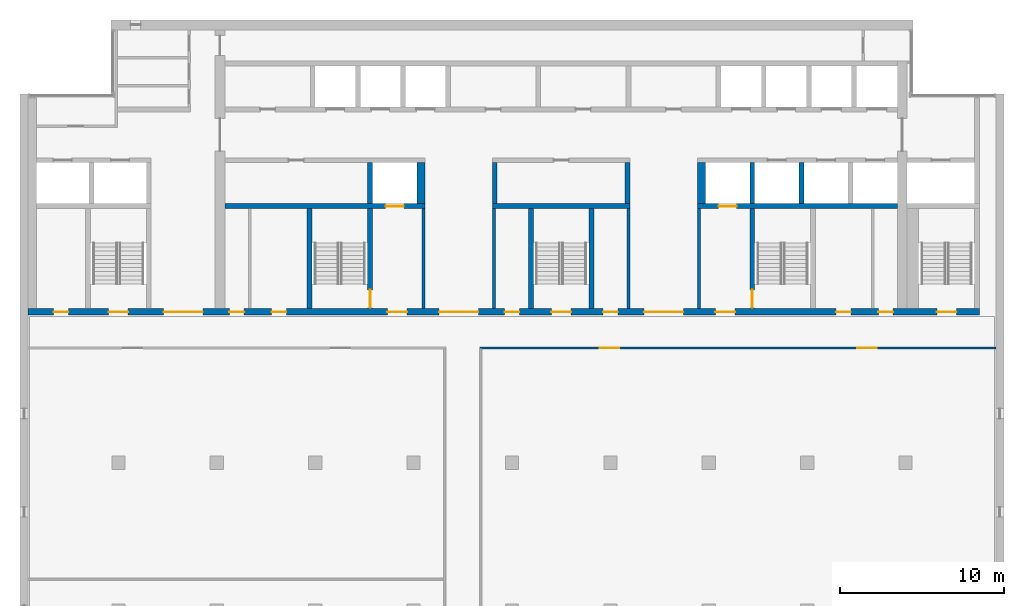
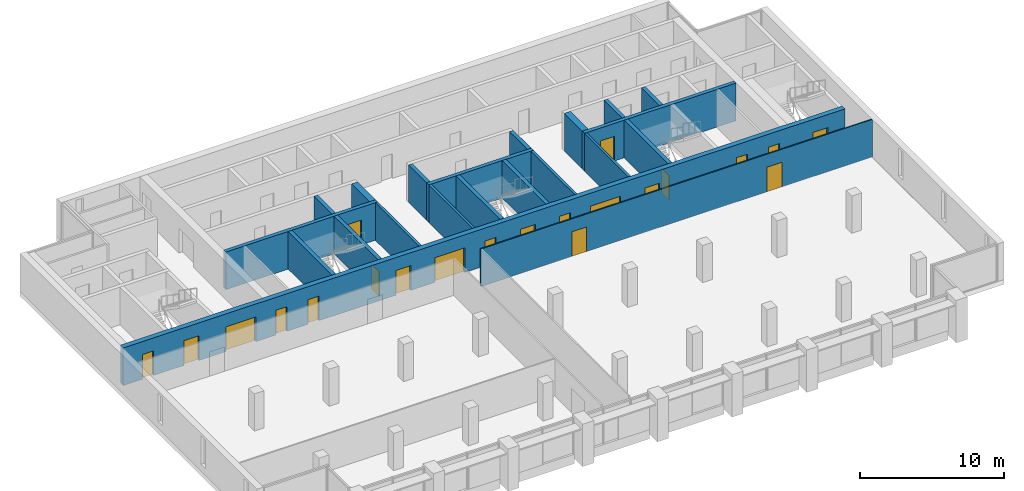
# One storey, part 8 of 14: 21 doors, 21 walls, 21 openings.
"""IFC4 building model written with IfcOpenShell, lengths in metres."""

from ifc_helpers import new_model, si_unit, direction, frame, frame_2d, origin, place, context, subcontext, project, spatial, rectangle, extrude, material, layer, layer_set, type_object, element, fill, save


model = new_model("IFC4")

# Units and contexts
model_context = context("Model", 3, precision=1e-05, world=origin(), true_north=direction((0.0, 1.0)))
body_context = subcontext(model_context, "Body", "Model", "MODEL_VIEW")
ifc_project = project(units=[si_unit("LENGTHUNIT", "METRE"), si_unit("AREAUNIT", "SQUARE_METRE"), si_unit("VOLUMEUNIT", "CUBIC_METRE"), si_unit("PLANEANGLEUNIT", "RADIAN"), si_unit("MASSUNIT", "GRAM", prefix="KILO")], contexts=[model_context])

# Site, building, storey
site_placement = place(None, origin())
site = spatial("IfcSite", under=ifc_project, at=site_placement, CompositionType="ELEMENT")
building_placement = place(site_placement, origin())
building = spatial("IfcBuilding", under=site, at=building_placement, Name="Calvaro Tower", CompositionType="ELEMENT")
storey_placement = place(building_placement, frame((0.0, 0.0, 262.14990234375)))
storey = spatial("IfcBuildingStorey", under=building, at=storey_placement, Name="L66", CompositionType="ELEMENT", Elevation=262.14990234375)

# Walls
ifc_material_1 = material(Name="Blockwork partition", Category="masonry")
ifc_layer_1 = layer(ifc_material_1, 0.199951171875)
ifc_layer_set_1 = layer_set([ifc_layer_1], Name="Blockwork partition")
wall_type_1 = type_object("IfcWallType", Name="Core partition 200 REI 120", PredefinedType="PARTITIONING", material=ifc_layer_set_1)
for number, where, z_axis, x_axis, name in (
    (1, (30.60009765625, 28.39990234375, 0.0), (0.0, 0.0, 1.0), (0.0, 1.0, 0.0), "Core partition"),
    (2, (34.89990234375, 28.39990234375, 0.0), (0.0, 0.0, 1.0), (0.0, 1.0, 0.0), "Core partition"),
    (3, (43.10009765625, 28.39990234375, 0.0), (0.0, 0.0, 1.0), (0.0, 1.0, 0.0), "Core partition"),
    (4, (47.39990234375, 28.39990234375, 0.0), (0.0, 0.0, 1.0), (0.0, 1.0, 0.0), "Core partition"),
):
    element("IfcWall", number, at=place(storey_placement, frame(where, z_axis=z_axis, x_axis=x_axis)), inside=storey, type_object=wall_type_1, Name=name, PredefinedType="PARTITIONING", context=body_context, shape_type="SweptSolid", body=[
        extrude(rectangle(XDim=6.10009765625, YDim=0.199951171875, at=frame_2d((3.050048828125, 0.0))), origin(), (0.0, 0.0, 1.0), 3.2001953125),
    ])
ifc_material_2 = material(Name="Concrete C40/50", Category="concrete")
ifc_layer_2 = layer(ifc_material_2, 0.300048828125)
ifc_layer_set_2 = layer_set([ifc_layer_2], Name="Concrete C40/50")
wall_type_2 = type_object("IfcWallType", Name="Core wall C40/50 300", PredefinedType="SHEAR", material=ifc_layer_set_2)
wall_1_placement = place(storey_placement, frame((23.64990234375, 28.39990234375, 0.0), z_axis=(0.0, 0.0, 1.0), x_axis=(0.0, 1.0, 0.0)))
element("IfcWall", 5, at=wall_1_placement, inside=storey, type_object=wall_type_2, Name="Core wall, stair enclosure", PredefinedType="SHEAR", context=body_context, shape_type="SweptSolid", body=[
    extrude(rectangle(XDim=6.10009765625, YDim=0.300048828125, at=frame_2d((3.050048828125, 0.0))), origin(), (0.0, 0.0, 1.0), 3.2001953125),
])

# Wall, opening, door
wall_2_placement = place(storey_placement, frame((27.35009765625, 28.39990234375, 0.0), z_axis=(0.0, 0.0, 1.0), x_axis=(0.0, 1.0, 0.0)))
wall_2 = element("IfcWall", 6, at=wall_2_placement, inside=storey, type_object=wall_type_2, Name="Core wall, stair enclosure", PredefinedType="SHEAR", context=body_context, shape_type="SweptSolid", body=[
    extrude(rectangle(XDim=6.10009765625, YDim=0.300048828125, at=frame_2d((3.050048828125, 0.0))), origin(), (0.0, 0.0, 1.0), 3.2001953125),
])
opening_1_placement = place(wall_2_placement, frame((0.050048828125, 0.0, 0.0)))
opening_1 = element("IfcOpeningElement", 7, at=opening_1_placement, cuts=wall_2, Name="Opening FD11D", PredefinedType="OPENING", context=body_context, shape_type="SweptSolid", body=[
    extrude(rectangle(XDim=1.10009765625, YDim=2.10009765625, at=frame_2d((0.550048828125, 1.050048828125))), frame((0.0, 0.159912109375, 0.0), z_axis=(0.0, -1.0, 0.0), x_axis=(1.0, 0.0, 0.0)), (0.0, 0.0, 1.0), 0.320068359375),
])
ifc_material_3 = material(Name="Steel door set", Category="steel")
door_type_1 = type_object("IfcDoorType", Name="Fire door 1100 FD30S", OperationType="SINGLE_SWING_LEFT", PredefinedType="DOOR", material=ifc_material_3)
door_1_placement = place(opening_1_placement, origin())
door_1 = element("IfcDoor", 8, at=door_1_placement, inside=storey, type_object=door_type_1, Name="Fire door", OperationType="SINGLE_SWING_LEFT", OverallHeight=2.10009765625, OverallWidth=1.10009765625, PredefinedType="DOOR", context=body_context, shape_type="SweptSolid", body=[
    extrude(rectangle(XDim=1.10009765625, YDim=2.10009765625, at=frame_2d((0.550048828125, 1.050048828125))), frame((0.0, 0.02490234375, 0.0), z_axis=(0.0, -1.0, 0.0), x_axis=(1.0, 0.0, 0.0)), (0.0, 0.0, 1.0), 0.050048828125),
])
fill(opening_1, door_1)

# Walls
for number, where, z_axis, x_axis, name in (
    (9, (37.14990234375, 28.39990234375, 0.0), (0.0, 0.0, 1.0), (0.0, 1.0, 0.0), "Core wall, stair enclosure"),
    (10, (40.85009765625, 28.39990234375, 0.0), (0.0, 0.0, 1.0), (0.0, 1.0, 0.0), "Core wall, stair enclosure"),
):
    element("IfcWall", number, at=place(storey_placement, frame(where, z_axis=z_axis, x_axis=x_axis)), inside=storey, type_object=wall_type_2, Name=name, PredefinedType="SHEAR", context=body_context, shape_type="SweptSolid", body=[
        extrude(rectangle(XDim=6.10009765625, YDim=0.300048828125, at=frame_2d((3.050048828125, 0.0))), origin(), (0.0, 0.0, 1.0), 3.2001953125),
    ])

# Wall, opening, door
wall_3_placement = place(storey_placement, frame((50.64990234375, 34.5, 0.0), z_axis=(0.0, 0.0, 1.0), x_axis=(0.0, -1.0, 0.0)))
wall_3 = element("IfcWall", 11, at=wall_3_placement, inside=storey, type_object=wall_type_2, Name="Core wall, stair enclosure", PredefinedType="SHEAR", context=body_context, shape_type="SweptSolid", body=[
    extrude(rectangle(XDim=6.10009765625, YDim=0.300048828125, at=frame_2d((3.050048828125, 0.0))), origin(), (0.0, 0.0, 1.0), 3.2001953125),
])
opening_2_placement = place(wall_3_placement, frame((4.949951171875, 0.0, 0.0)))
opening_2 = element("IfcOpeningElement", 12, at=opening_2_placement, cuts=wall_3, Name="Opening FD11D", PredefinedType="OPENING", context=body_context, shape_type="SweptSolid", body=[
    extrude(rectangle(XDim=1.10009765625, YDim=2.10009765625, at=frame_2d((0.550048828125, 1.050048828125))), frame((0.0, 0.159912109375, 0.0), z_axis=(0.0, -1.0, 0.0), x_axis=(1.0, 0.0, 0.0)), (0.0, 0.0, 1.0), 0.320068359375),
])
door_2_placement = place(opening_2_placement, origin())
door_2 = element("IfcDoor", 13, at=door_2_placement, inside=storey, type_object=door_type_1, Name="Fire door", OperationType="SINGLE_SWING_RIGHT", OverallHeight=2.10009765625, OverallWidth=1.10009765625, PredefinedType="DOOR", context=body_context, shape_type="SweptSolid", body=[
    extrude(rectangle(XDim=1.10009765625, YDim=2.10009765625, at=frame_2d((0.550048828125, 1.050048828125))), frame((0.0, 0.02490234375, 0.0), z_axis=(0.0, -1.0, 0.0), x_axis=(1.0, 0.0, 0.0)), (0.0, 0.0, 1.0), 0.050048828125),
])
fill(opening_2, door_2)

wall_4_placement = place(storey_placement, frame((18.5, 34.64990234375, 0.0), z_axis=(0.0, 0.0, 1.0), x_axis=(1.0, 0.0, 0.0)))
wall_4 = element("IfcWall", 14, at=wall_4_placement, inside=storey, type_object=wall_type_2, Name="Core wall, lift shaft", PredefinedType="SHEAR", context=body_context, shape_type="SweptSolid", body=[
    extrude(rectangle(XDim=12.199951171875, YDim=0.300048828125, at=frame_2d((6.10009765625, 0.0))), origin(), (0.0, 0.0, 1.0), 3.2001953125),
])
opening_3_placement = place(wall_4_placement, frame((9.800048828125, 0.0, 0.0)))
opening_3 = element("IfcOpeningElement", 15, at=opening_3_placement, cuts=wall_4, Name="Opening FF1", PredefinedType="OPENING", context=body_context, shape_type="SweptSolid", body=[
    extrude(rectangle(XDim=1.10009765625, YDim=2.10009765625, at=frame_2d((0.550048828125, 1.050048828125))), frame((0.0, 0.159912109375, 0.0), z_axis=(0.0, -1.0, 0.0), x_axis=(1.0, 0.0, 0.0)), (0.0, 0.0, 1.0), 0.320068359375),
])
ifc_material_4 = material(Name="Stainless steel", Category="steel")
door_type_2 = type_object("IfcDoorType", Name="Landing door 1100 E 60", OperationType="SLIDING_TO_LEFT", PredefinedType="DOOR", material=ifc_material_4)
door_3_placement = place(opening_3_placement, origin())
door_3 = element("IfcDoor", 16, at=door_3_placement, inside=storey, type_object=door_type_2, Name="Landing door FF1", OperationType="SLIDING_TO_LEFT", OverallHeight=2.10009765625, OverallWidth=1.10009765625, PredefinedType="DOOR", context=body_context, shape_type="SweptSolid", body=[
    extrude(rectangle(XDim=1.10009765625, YDim=2.10009765625, at=frame_2d((0.550048828125, 1.050048828125))), frame((0.0, 0.02490234375, 0.0), z_axis=(0.0, -1.0, 0.0), x_axis=(1.0, 0.0, 0.0)), (0.0, 0.0, 1.0), 0.050048828125),
])
fill(opening_3, door_3)

# Wall
wall_5_placement = place(storey_placement, frame((34.800048828125, 34.64990234375, 0.0), z_axis=(0.0, 0.0, 1.0), x_axis=(1.0, 0.0, 0.0)))
element("IfcWall", 17, at=wall_5_placement, inside=storey, type_object=wall_type_2, Name="Core wall, lift shaft", PredefinedType="SHEAR", context=body_context, shape_type="SweptSolid", body=[
    extrude(rectangle(XDim=8.39990234375, YDim=0.300048828125, at=frame_2d((4.199951171875, 0.0))), origin(), (0.0, 0.0, 1.0), 3.2001953125),
])

# Wall, opening, door
wall_6_placement = place(storey_placement, frame((47.300048828125, 34.64990234375, 0.0), z_axis=(0.0, 0.0, 1.0), x_axis=(1.0, 0.0, 0.0)))
wall_6 = element("IfcWall", 18, at=wall_6_placement, inside=storey, type_object=wall_type_2, Name="Core wall, lift shaft", PredefinedType="SHEAR", context=body_context, shape_type="SweptSolid", body=[
    extrude(rectangle(XDim=12.199951171875, YDim=0.300048828125, at=frame_2d((6.10009765625, 0.0))), origin(), (0.0, 0.0, 1.0), 3.2001953125),
])
opening_4_placement = place(wall_6_placement, frame((1.300048828125, 0.0, 0.0)))
opening_4 = element("IfcOpeningElement", 19, at=opening_4_placement, cuts=wall_6, Name="Opening FF2", PredefinedType="OPENING", context=body_context, shape_type="SweptSolid", body=[
    extrude(rectangle(XDim=1.10009765625, YDim=2.10009765625, at=frame_2d((0.550048828125, 1.050048828125))), frame((0.0, 0.159912109375, 0.0), z_axis=(0.0, -1.0, 0.0), x_axis=(1.0, 0.0, 0.0)), (0.0, 0.0, 1.0), 0.320068359375),
])
door_4_placement = place(opening_4_placement, origin())
door_4 = element("IfcDoor", 20, at=door_4_placement, inside=storey, type_object=door_type_2, Name="Landing door FF2", OperationType="SLIDING_TO_LEFT", OverallHeight=2.10009765625, OverallWidth=1.10009765625, PredefinedType="DOOR", context=body_context, shape_type="SweptSolid", body=[
    extrude(rectangle(XDim=1.10009765625, YDim=2.10009765625, at=frame_2d((0.550048828125, 1.050048828125))), frame((0.0, 0.02490234375, 0.0), z_axis=(0.0, -1.0, 0.0), x_axis=(1.0, 0.0, 0.0)), (0.0, 0.0, 1.0), 0.050048828125),
])
fill(opening_4, door_4)

# Walls
for number, where, z_axis, x_axis, name in (
    (21, (27.35009765625, 34.800048828125, 0.0), (0.0, 0.0, 1.0), (0.0, 1.0, 0.0), "Core wall, lift shaft"),
    (22, (34.949951171875, 34.800048828125, 0.0), (0.0, 0.0, 1.0), (0.0, 1.0, 0.0), "Core wall, lift shaft"),
    (23, (43.050048828125, 34.800048828125, 0.0), (0.0, 0.0, 1.0), (0.0, 1.0, 0.0), "Core wall, lift shaft"),
    (24, (50.64990234375, 34.800048828125, 0.0), (0.0, 0.0, 1.0), (0.0, 1.0, 0.0), "Core wall, lift shaft"),
    (25, (53.64990234375, 34.800048828125, 0.0), (0.0, 0.0, 1.0), (0.0, 1.0, 0.0), "Core wall, lift shaft"),
):
    element("IfcWall", number, at=place(storey_placement, frame(where, z_axis=z_axis, x_axis=x_axis)), inside=storey, type_object=wall_type_2, Name=name, PredefinedType="SHEAR", context=body_context, shape_type="SweptSolid", body=[
        extrude(rectangle(XDim=2.5, YDim=0.300048828125, at=frame_2d((1.25, 0.0))), origin(), (0.0, 0.0, 1.0), 3.2001953125),
    ])

# Wall, openings, doors
ifc_material_5 = material(Name="Concrete C40/50", Category="concrete")
ifc_layer_3 = layer(ifc_material_5, 0.39990234375)
ifc_layer_set_3 = layer_set([ifc_layer_3], Name="Concrete C40/50")
wall_type_3 = type_object("IfcWallType", Name="Core wall C40/50 400", PredefinedType="SHEAR", material=ifc_layer_set_3)
wall_7_placement = place(storey_placement, frame((6.5, 28.199951171875, 0.0), z_axis=(0.0, 0.0, 1.0), x_axis=(1.0, 0.0, 0.0)))
wall_7 = element("IfcWall", 26, at=wall_7_placement, inside=storey, type_object=wall_type_3, Name="Core wall, front", PredefinedType="SHEAR", context=body_context, shape_type="SweptSolid", body=[
    extrude(rectangle(XDim=58.0, YDim=0.39990234375, at=frame_2d((29.0, 0.0))), origin(), (0.0, 0.0, 1.0), 3.2001953125),
])
opening_5_placement = place(wall_7_placement, frame((12.262451171875, 0.0, 0.0)))
opening_5 = element("IfcOpeningElement", 27, at=opening_5_placement, cuts=wall_7, Name="Opening RD9C", PredefinedType="OPENING", context=body_context, shape_type="SweptSolid", body=[
    extrude(rectangle(XDim=0.89990234375, YDim=2.10009765625, at=frame_2d((0.449951171875, 1.050048828125))), frame((0.0, 0.2099609375, 0.0), z_axis=(0.0, -1.0, 0.0), x_axis=(1.0, 0.0, 0.0)), (0.0, 0.0, 1.0), 0.419921875),
])
opening_6_placement = place(wall_7_placement, frame((14.83740234375, 0.0, 0.0)))
opening_6 = element("IfcOpeningElement", 28, at=opening_6_placement, cuts=wall_7, Name="Opening RD9E", PredefinedType="OPENING", context=body_context, shape_type="SweptSolid", body=[
    extrude(rectangle(XDim=0.89990234375, YDim=2.10009765625, at=frame_2d((0.449951171875, 1.050048828125))), frame((0.0, 0.2099609375, 0.0), z_axis=(0.0, -1.0, 0.0), x_axis=(1.0, 0.0, 0.0)), (0.0, 0.0, 1.0), 0.419921875),
])
opening_7_placement = place(wall_7_placement, frame((49.262451171875, 0.0, 0.0)))
opening_7 = element("IfcOpeningElement", 29, at=opening_7_placement, cuts=wall_7, Name="Opening RD9E", PredefinedType="OPENING", context=body_context, shape_type="SweptSolid", body=[
    extrude(rectangle(XDim=0.89990234375, YDim=2.10009765625, at=frame_2d((0.449951171875, 1.050048828125))), frame((0.0, 0.2099609375, 0.0), z_axis=(0.0, -1.0, 0.0), x_axis=(1.0, 0.0, 0.0)), (0.0, 0.0, 1.0), 0.419921875),
])
opening_8_placement = place(wall_7_placement, frame((51.83740234375, 0.0, 0.0)))
opening_8 = element("IfcOpeningElement", 30, at=opening_8_placement, cuts=wall_7, Name="Opening RD9C", PredefinedType="OPENING", context=body_context, shape_type="SweptSolid", body=[
    extrude(rectangle(XDim=0.89990234375, YDim=2.10009765625, at=frame_2d((0.449951171875, 1.050048828125))), frame((0.0, 0.2099609375, 0.0), z_axis=(0.0, -1.0, 0.0), x_axis=(1.0, 0.0, 0.0)), (0.0, 0.0, 1.0), 0.419921875),
])
opening_9_placement = place(wall_7_placement, frame((1.550048828125, 0.0, 0.0)))
opening_9 = element("IfcOpeningElement", 31, at=opening_9_placement, cuts=wall_7, Name="Opening RD9E", PredefinedType="OPENING", context=body_context, shape_type="SweptSolid", body=[
    extrude(rectangle(XDim=0.89990234375, YDim=2.10009765625, at=frame_2d((0.449951171875, 1.050048828125))), frame((0.0, 0.2099609375, 0.0), z_axis=(0.0, -1.0, 0.0), x_axis=(1.0, 0.0, 0.0)), (0.0, 0.0, 1.0), 0.419921875),
])
opening_10_placement = place(wall_7_placement, frame((4.89990234375, 0.0, 0.0)))
opening_10 = element("IfcOpeningElement", 32, at=opening_10_placement, cuts=wall_7, Name="Opening SD12D", PredefinedType="OPENING", context=body_context, shape_type="SweptSolid", body=[
    extrude(rectangle(XDim=1.199951171875, YDim=2.10009765625, at=frame_2d((0.60009765625, 1.050048828125))), frame((0.0, 0.2099609375, 0.0), z_axis=(0.0, -1.0, 0.0), x_axis=(1.0, 0.0, 0.0)), (0.0, 0.0, 1.0), 0.419921875),
])
opening_11_placement = place(wall_7_placement, frame((31.89990234375, 0.0, 0.0)))
opening_11 = element("IfcOpeningElement", 33, at=opening_11_placement, cuts=wall_7, Name="Opening SD12D", PredefinedType="OPENING", context=body_context, shape_type="SweptSolid", body=[
    extrude(rectangle(XDim=1.199951171875, YDim=2.10009765625, at=frame_2d((0.60009765625, 1.050048828125))), frame((0.0, 0.2099609375, 0.0), z_axis=(0.0, -1.0, 0.0), x_axis=(1.0, 0.0, 0.0)), (0.0, 0.0, 1.0), 0.419921875),
])
opening_12_placement = place(wall_7_placement, frame((55.39990234375, 0.0, 0.0)))
opening_12 = element("IfcOpeningElement", 34, at=opening_12_placement, cuts=wall_7, Name="Opening SD12D", PredefinedType="OPENING", context=body_context, shape_type="SweptSolid", body=[
    extrude(rectangle(XDim=1.199951171875, YDim=2.10009765625, at=frame_2d((0.60009765625, 1.050048828125))), frame((0.0, 0.2099609375, 0.0), z_axis=(0.0, -1.0, 0.0), x_axis=(1.0, 0.0, 0.0)), (0.0, 0.0, 1.0), 0.419921875),
])
opening_13_placement = place(wall_7_placement, frame((21.89990234375, 0.0, 0.0)))
opening_13 = element("IfcOpeningElement", 35, at=opening_13_placement, cuts=wall_7, Name="Opening FD12F", PredefinedType="OPENING", context=body_context, shape_type="SweptSolid", body=[
    extrude(rectangle(XDim=1.199951171875, YDim=2.10009765625, at=frame_2d((0.60009765625, 1.050048828125))), frame((0.0, 0.2099609375, 0.0), z_axis=(0.0, -1.0, 0.0), x_axis=(1.0, 0.0, 0.0)), (0.0, 0.0, 1.0), 0.419921875),
])
opening_14_placement = place(wall_7_placement, frame((41.89990234375, 0.0, 0.0)))
opening_14 = element("IfcOpeningElement", 36, at=opening_14_placement, cuts=wall_7, Name="Opening FD12F", PredefinedType="OPENING", context=body_context, shape_type="SweptSolid", body=[
    extrude(rectangle(XDim=1.199951171875, YDim=2.10009765625, at=frame_2d((0.60009765625, 1.050048828125))), frame((0.0, 0.2099609375, 0.0), z_axis=(0.0, -1.0, 0.0), x_axis=(1.0, 0.0, 0.0)), (0.0, 0.0, 1.0), 0.419921875),
])
opening_15_placement = place(wall_7_placement, frame((25.050048828125, 0.0, 0.0)))
opening_15 = element("IfcOpeningElement", 37, at=opening_15_placement, cuts=wall_7, Name="Opening DD24D", PredefinedType="OPENING", context=body_context, shape_type="SweptSolid", body=[
    extrude(rectangle(XDim=2.39990234375, YDim=2.10009765625, at=frame_2d((1.199951171875, 1.050048828125))), frame((0.0, 0.2099609375, 0.0), z_axis=(0.0, -1.0, 0.0), x_axis=(1.0, 0.0, 0.0)), (0.0, 0.0, 1.0), 0.419921875),
])
opening_16_placement = place(wall_7_placement, frame((37.550048828125, 0.0, 0.0)))
opening_16 = element("IfcOpeningElement", 38, at=opening_16_placement, cuts=wall_7, Name="Opening DD24D", PredefinedType="OPENING", context=body_context, shape_type="SweptSolid", body=[
    extrude(rectangle(XDim=2.39990234375, YDim=2.10009765625, at=frame_2d((1.199951171875, 1.050048828125))), frame((0.0, 0.2099609375, 0.0), z_axis=(0.0, -1.0, 0.0), x_axis=(1.0, 0.0, 0.0)), (0.0, 0.0, 1.0), 0.419921875),
])
opening_17_placement = place(wall_7_placement, frame((8.25, 0.0, 0.0)))
opening_17 = element("IfcOpeningElement", 39, at=opening_17_placement, cuts=wall_7, Name="Opening DD24D", PredefinedType="OPENING", context=body_context, shape_type="SweptSolid", body=[
    extrude(rectangle(XDim=2.39990234375, YDim=2.10009765625, at=frame_2d((1.199951171875, 1.050048828125))), frame((0.0, 0.2099609375, 0.0), z_axis=(0.0, -1.0, 0.0), x_axis=(1.0, 0.0, 0.0)), (0.0, 0.0, 1.0), 0.419921875),
])
opening_18_placement = place(wall_7_placement, frame((29.050048828125, 0.0, 0.0)))
opening_18 = element("IfcOpeningElement", 40, at=opening_18_placement, cuts=wall_7, Name="Opening RD9E", PredefinedType="OPENING", context=body_context, shape_type="SweptSolid", body=[
    extrude(rectangle(XDim=0.89990234375, YDim=2.10009765625, at=frame_2d((0.449951171875, 1.050048828125))), frame((0.0, 0.2099609375, 0.0), z_axis=(0.0, -1.0, 0.0), x_axis=(1.0, 0.0, 0.0)), (0.0, 0.0, 1.0), 0.419921875),
])
opening_19_placement = place(wall_7_placement, frame((35.050048828125, 0.0, 0.0)))
opening_19 = element("IfcOpeningElement", 41, at=opening_19_placement, cuts=wall_7, Name="Opening RD9E", PredefinedType="OPENING", context=body_context, shape_type="SweptSolid", body=[
    extrude(rectangle(XDim=0.89990234375, YDim=2.10009765625, at=frame_2d((0.449951171875, 1.050048828125))), frame((0.0, 0.2099609375, 0.0), z_axis=(0.0, -1.0, 0.0), x_axis=(1.0, 0.0, 0.0)), (0.0, 0.0, 1.0), 0.419921875),
])
ifc_material_6 = material(Name="Steel door set", Category="steel")
door_type_3 = type_object("IfcDoorType", Name="Fire door 1200 FD60S", OperationType="SINGLE_SWING_LEFT", PredefinedType="DOOR", material=ifc_material_6)
door_5_placement = place(opening_13_placement, origin())
door_5 = element("IfcDoor", 42, at=door_5_placement, inside=storey, type_object=door_type_3, Name="Fire door", OperationType="SINGLE_SWING_LEFT", OverallHeight=2.10009765625, OverallWidth=1.199951171875, PredefinedType="DOOR", context=body_context, shape_type="SweptSolid", body=[
    extrude(rectangle(XDim=1.199951171875, YDim=2.10009765625, at=frame_2d((0.60009765625, 1.050048828125))), frame((0.0, 0.02490234375, 0.0), z_axis=(0.0, -1.0, 0.0), x_axis=(1.0, 0.0, 0.0)), (0.0, 0.0, 1.0), 0.050048828125),
])
fill(opening_13, door_5)
door_6_placement = place(opening_14_placement, origin())
door_6 = element("IfcDoor", 43, at=door_6_placement, inside=storey, type_object=door_type_3, Name="Fire door", OperationType="SINGLE_SWING_LEFT", OverallHeight=2.10009765625, OverallWidth=1.199951171875, PredefinedType="DOOR", context=body_context, shape_type="SweptSolid", body=[
    extrude(rectangle(XDim=1.199951171875, YDim=2.10009765625, at=frame_2d((0.60009765625, 1.050048828125))), frame((0.0, 0.02490234375, 0.0), z_axis=(0.0, -1.0, 0.0), x_axis=(1.0, 0.0, 0.0)), (0.0, 0.0, 1.0), 0.050048828125),
])
fill(opening_14, door_6)
ifc_material_7 = material(Name="Steel door set", Category="steel")
door_type_4 = type_object("IfcDoorType", Name="Lobby double door 2400 FD30S", OperationType="DOUBLE_DOOR_SINGLE_SWING", PredefinedType="DOOR", material=ifc_material_7)
door_7_placement = place(opening_15_placement, origin())
door_7 = element("IfcDoor", 44, at=door_7_placement, inside=storey, type_object=door_type_4, Name="Lobby double door", OperationType="DOUBLE_DOOR_SINGLE_SWING", OverallHeight=2.10009765625, OverallWidth=2.39990234375, PredefinedType="DOOR", context=body_context, shape_type="SweptSolid", body=[
    extrude(rectangle(XDim=2.39990234375, YDim=2.10009765625, at=frame_2d((1.199951171875, 1.050048828125))), frame((0.0, 0.02490234375, 0.0), z_axis=(0.0, -1.0, 0.0), x_axis=(1.0, 0.0, 0.0)), (0.0, 0.0, 1.0), 0.050048828125),
])
fill(opening_15, door_7)
door_8_placement = place(opening_16_placement, origin())
door_8 = element("IfcDoor", 45, at=door_8_placement, inside=storey, type_object=door_type_4, Name="Lobby double door", OperationType="DOUBLE_DOOR_SINGLE_SWING", OverallHeight=2.10009765625, OverallWidth=2.39990234375, PredefinedType="DOOR", context=body_context, shape_type="SweptSolid", body=[
    extrude(rectangle(XDim=2.39990234375, YDim=2.10009765625, at=frame_2d((1.199951171875, 1.050048828125))), frame((0.0, 0.02490234375, 0.0), z_axis=(0.0, -1.0, 0.0), x_axis=(1.0, 0.0, 0.0)), (0.0, 0.0, 1.0), 0.050048828125),
])
fill(opening_16, door_8)
door_9_placement = place(opening_17_placement, origin())
door_9 = element("IfcDoor", 46, at=door_9_placement, inside=storey, type_object=door_type_4, Name="Lobby double door", OperationType="DOUBLE_DOOR_SINGLE_SWING", OverallHeight=2.10009765625, OverallWidth=2.39990234375, PredefinedType="DOOR", context=body_context, shape_type="SweptSolid", body=[
    extrude(rectangle(XDim=2.39990234375, YDim=2.10009765625, at=frame_2d((1.199951171875, 1.050048828125))), frame((0.0, 0.02490234375, 0.0), z_axis=(0.0, -1.0, 0.0), x_axis=(1.0, 0.0, 0.0)), (0.0, 0.0, 1.0), 0.050048828125),
])
fill(opening_17, door_9)
ifc_material_8 = material(Name="Steel door set", Category="steel")
door_type_5 = type_object("IfcDoorType", Name="Room door 900 FD30", OperationType="SINGLE_SWING_LEFT", PredefinedType="DOOR", material=ifc_material_8)
door_10_placement = place(opening_5_placement, origin())
door_10 = element("IfcDoor", 47, at=door_10_placement, inside=storey, type_object=door_type_5, Name="Room door", OperationType="SINGLE_SWING_LEFT", OverallHeight=2.10009765625, OverallWidth=0.89990234375, PredefinedType="DOOR", context=body_context, shape_type="SweptSolid", body=[
    extrude(rectangle(XDim=0.89990234375, YDim=2.10009765625, at=frame_2d((0.449951171875, 1.050048828125))), frame((0.0, 0.02490234375, 0.0), z_axis=(0.0, -1.0, 0.0), x_axis=(1.0, 0.0, 0.0)), (0.0, 0.0, 1.0), 0.050048828125),
])
fill(opening_5, door_10)
door_11_placement = place(opening_8_placement, origin())
door_11 = element("IfcDoor", 48, at=door_11_placement, inside=storey, type_object=door_type_5, Name="Room door", OperationType="SINGLE_SWING_LEFT", OverallHeight=2.10009765625, OverallWidth=0.89990234375, PredefinedType="DOOR", context=body_context, shape_type="SweptSolid", body=[
    extrude(rectangle(XDim=0.89990234375, YDim=2.10009765625, at=frame_2d((0.449951171875, 1.050048828125))), frame((0.0, 0.02490234375, 0.0), z_axis=(0.0, -1.0, 0.0), x_axis=(1.0, 0.0, 0.0)), (0.0, 0.0, 1.0), 0.050048828125),
])
fill(opening_8, door_11)
ifc_material_9 = material(Name="Steel door set", Category="steel")
door_type_6 = type_object("IfcDoorType", Name="Room door 900 FD60", OperationType="SINGLE_SWING_LEFT", PredefinedType="DOOR", material=ifc_material_9)
door_12_placement = place(opening_6_placement, origin())
door_12 = element("IfcDoor", 49, at=door_12_placement, inside=storey, type_object=door_type_6, Name="Room door", OperationType="SINGLE_SWING_RIGHT", OverallHeight=2.10009765625, OverallWidth=0.89990234375, PredefinedType="DOOR", context=body_context, shape_type="SweptSolid", body=[
    extrude(rectangle(XDim=0.89990234375, YDim=2.10009765625, at=frame_2d((0.449951171875, 1.050048828125))), frame((0.0, 0.02490234375, 0.0), z_axis=(0.0, -1.0, 0.0), x_axis=(1.0, 0.0, 0.0)), (0.0, 0.0, 1.0), 0.050048828125),
])
fill(opening_6, door_12)
door_13_placement = place(opening_7_placement, origin())
door_13 = element("IfcDoor", 50, at=door_13_placement, inside=storey, type_object=door_type_6, Name="Room door", OperationType="SINGLE_SWING_LEFT", OverallHeight=2.10009765625, OverallWidth=0.89990234375, PredefinedType="DOOR", context=body_context, shape_type="SweptSolid", body=[
    extrude(rectangle(XDim=0.89990234375, YDim=2.10009765625, at=frame_2d((0.449951171875, 1.050048828125))), frame((0.0, 0.02490234375, 0.0), z_axis=(0.0, -1.0, 0.0), x_axis=(1.0, 0.0, 0.0)), (0.0, 0.0, 1.0), 0.050048828125),
])
fill(opening_7, door_13)
door_14_placement = place(opening_9_placement, origin())
door_14 = element("IfcDoor", 51, at=door_14_placement, inside=storey, type_object=door_type_6, Name="Room door", OperationType="SINGLE_SWING_LEFT", OverallHeight=2.10009765625, OverallWidth=0.89990234375, PredefinedType="DOOR", context=body_context, shape_type="SweptSolid", body=[
    extrude(rectangle(XDim=0.89990234375, YDim=2.10009765625, at=frame_2d((0.449951171875, 1.050048828125))), frame((0.0, 0.02490234375, 0.0), z_axis=(0.0, -1.0, 0.0), x_axis=(1.0, 0.0, 0.0)), (0.0, 0.0, 1.0), 0.050048828125),
])
fill(opening_9, door_14)
door_15_placement = place(opening_18_placement, origin())
door_15 = element("IfcDoor", 52, at=door_15_placement, inside=storey, type_object=door_type_6, Name="Room door", OperationType="SINGLE_SWING_LEFT", OverallHeight=2.10009765625, OverallWidth=0.89990234375, PredefinedType="DOOR", context=body_context, shape_type="SweptSolid", body=[
    extrude(rectangle(XDim=0.89990234375, YDim=2.10009765625, at=frame_2d((0.449951171875, 1.050048828125))), frame((0.0, 0.02490234375, 0.0), z_axis=(0.0, -1.0, 0.0), x_axis=(1.0, 0.0, 0.0)), (0.0, 0.0, 1.0), 0.050048828125),
])
fill(opening_18, door_15)
door_16_placement = place(opening_19_placement, origin())
door_16 = element("IfcDoor", 53, at=door_16_placement, inside=storey, type_object=door_type_6, Name="Room door", OperationType="SINGLE_SWING_LEFT", OverallHeight=2.10009765625, OverallWidth=0.89990234375, PredefinedType="DOOR", context=body_context, shape_type="SweptSolid", body=[
    extrude(rectangle(XDim=0.89990234375, YDim=2.10009765625, at=frame_2d((0.449951171875, 1.050048828125))), frame((0.0, 0.02490234375, 0.0), z_axis=(0.0, -1.0, 0.0), x_axis=(1.0, 0.0, 0.0)), (0.0, 0.0, 1.0), 0.050048828125),
])
fill(opening_19, door_16)
ifc_material_10 = material(Name="Steel door set", Category="steel")
door_type_7 = type_object("IfcDoorType", Name="Stair door 1200 FD30S", OperationType="SINGLE_SWING_LEFT", PredefinedType="DOOR", material=ifc_material_10)
door_17_placement = place(opening_10_placement, origin())
door_17 = element("IfcDoor", 54, at=door_17_placement, inside=storey, type_object=door_type_7, Name="Stair door", OperationType="SINGLE_SWING_LEFT", OverallHeight=2.10009765625, OverallWidth=1.199951171875, PredefinedType="DOOR", context=body_context, shape_type="SweptSolid", body=[
    extrude(rectangle(XDim=1.199951171875, YDim=2.10009765625, at=frame_2d((0.60009765625, 1.050048828125))), frame((0.0, 0.02490234375, 0.0), z_axis=(0.0, -1.0, 0.0), x_axis=(1.0, 0.0, 0.0)), (0.0, 0.0, 1.0), 0.050048828125),
])
fill(opening_10, door_17)
door_18_placement = place(opening_11_placement, origin())
door_18 = element("IfcDoor", 55, at=door_18_placement, inside=storey, type_object=door_type_7, Name="Stair door", OperationType="SINGLE_SWING_LEFT", OverallHeight=2.10009765625, OverallWidth=1.199951171875, PredefinedType="DOOR", context=body_context, shape_type="SweptSolid", body=[
    extrude(rectangle(XDim=1.199951171875, YDim=2.10009765625, at=frame_2d((0.60009765625, 1.050048828125))), frame((0.0, 0.02490234375, 0.0), z_axis=(0.0, -1.0, 0.0), x_axis=(1.0, 0.0, 0.0)), (0.0, 0.0, 1.0), 0.050048828125),
])
fill(opening_11, door_18)
door_19_placement = place(opening_12_placement, origin())
door_19 = element("IfcDoor", 56, at=door_19_placement, inside=storey, type_object=door_type_7, Name="Stair door", OperationType="SINGLE_SWING_LEFT", OverallHeight=2.10009765625, OverallWidth=1.199951171875, PredefinedType="DOOR", context=body_context, shape_type="SweptSolid", body=[
    extrude(rectangle(XDim=1.199951171875, YDim=2.10009765625, at=frame_2d((0.60009765625, 1.050048828125))), frame((0.0, 0.02490234375, 0.0), z_axis=(0.0, -1.0, 0.0), x_axis=(1.0, 0.0, 0.0)), (0.0, 0.0, 1.0), 0.050048828125),
])
fill(opening_12, door_19)

# Walls
ifc_material_11 = material(Name="Concrete C40/50", Category="concrete")
ifc_layer_4 = layer(ifc_material_11, 0.5)
ifc_layer_set_4 = layer_set([ifc_layer_4], Name="Concrete C40/50")
wall_type_4 = type_object("IfcWallType", Name="Core wall C40/50 500", PredefinedType="SHEAR", material=ifc_layer_set_4)
for number, where, z_axis, x_axis, name in (
    (57, (30.449951171875, 34.800048828125, 0.0), (0.0, 0.0, 1.0), (0.0, 1.0, 0.0), "Core wall, lift shaft"),
    (58, (47.550048828125, 34.800048828125, 0.0), (0.0, 0.0, 1.0), (0.0, 1.0, 0.0), "Core wall, lift shaft"),
):
    element("IfcWall", number, at=place(storey_placement, frame(where, z_axis=z_axis, x_axis=x_axis)), inside=storey, type_object=wall_type_4, Name=name, PredefinedType="SHEAR", context=body_context, shape_type="SweptSolid", body=[
        extrude(rectangle(XDim=2.5, YDim=0.5, at=frame_2d((1.25, 0.0))), origin(), (0.0, 0.0, 1.0), 3.2001953125),
    ])

# Wall, openings, doors
ifc_material_12 = material(Name="Plasterboard on steel studs", Category="steel")
ifc_layer_5 = layer(ifc_material_12, 0.10009765625)
ifc_layer_set_5 = layer_set([ifc_layer_5], Name="Plasterboard on steel studs")
wall_type_5 = type_object("IfcWallType", Name="Partition 100", PredefinedType="PARTITIONING", material=ifc_layer_set_5)
wall_8_placement = place(storey_placement, frame((34.050048828125, 26.0, 0.0), z_axis=(0.0, 0.0, 1.0), x_axis=(1.0, 0.0, 0.0)))
wall_8 = element("IfcWall", 59, at=wall_8_placement, inside=storey, type_object=wall_type_5, Name="Partition T38.W003", PredefinedType="PARTITIONING", context=body_context, shape_type="SweptSolid", body=[
    extrude(rectangle(XDim=31.449951171875, YDim=0.10009765625, at=frame_2d((15.72509765625, 0.0))), origin(), (0.0, 0.0, 1.0), 3.2001953125),
])
opening_20_placement = place(wall_8_placement, frame((7.300048828125, 0.0, 0.0)))
opening_20 = element("IfcOpeningElement", 60, at=opening_20_placement, cuts=wall_8, Name="Opening T38.002", PredefinedType="OPENING", context=body_context, shape_type="SweptSolid", body=[
    extrude(rectangle(XDim=1.199951171875, YDim=2.10009765625, at=frame_2d((0.60009765625, 1.050048828125))), frame((0.0, 0.06005859375, 0.0), z_axis=(0.0, -1.0, 0.0), x_axis=(1.0, 0.0, 0.0)), (0.0, 0.0, 1.0), 0.1201171875),
])
opening_21_placement = place(wall_8_placement, frame((23.0, 0.0, 0.0)))
opening_21 = element("IfcOpeningElement", 61, at=opening_21_placement, cuts=wall_8, Name="Opening T38.003", PredefinedType="OPENING", context=body_context, shape_type="SweptSolid", body=[
    extrude(rectangle(XDim=1.199951171875, YDim=2.10009765625, at=frame_2d((0.60009765625, 1.050048828125))), frame((0.0, 0.06005859375, 0.0), z_axis=(0.0, -1.0, 0.0), x_axis=(1.0, 0.0, 0.0)), (0.0, 0.0, 1.0), 0.1201171875),
])
ifc_material_13 = material(Name="Timber", Category="wood")
door_type_8 = type_object("IfcDoorType", Name="Internal single door 1200 x 2100", OperationType="SINGLE_SWING_LEFT", PredefinedType="DOOR", material=ifc_material_13)
door_20_placement = place(opening_20_placement, origin())
door_20 = element("IfcDoor", 62, at=door_20_placement, inside=storey, type_object=door_type_8, Name="Door T38.002", OperationType="SINGLE_SWING_LEFT", OverallHeight=2.10009765625, OverallWidth=1.199951171875, PredefinedType="DOOR", context=body_context, shape_type="SweptSolid", body=[
    extrude(rectangle(XDim=1.199951171875, YDim=2.10009765625, at=frame_2d((0.60009765625, 1.050048828125))), frame((0.0, 0.02490234375, 0.0), z_axis=(0.0, -1.0, 0.0), x_axis=(1.0, 0.0, 0.0)), (0.0, 0.0, 1.0), 0.050048828125),
])
fill(opening_20, door_20)
door_21_placement = place(opening_21_placement, origin())
door_21 = element("IfcDoor", 63, at=door_21_placement, inside=storey, type_object=door_type_8, Name="Door T38.003", OperationType="SINGLE_SWING_RIGHT", OverallHeight=2.10009765625, OverallWidth=1.199951171875, PredefinedType="DOOR", context=body_context, shape_type="SweptSolid", body=[
    extrude(rectangle(XDim=1.199951171875, YDim=2.10009765625, at=frame_2d((0.60009765625, 1.050048828125))), frame((0.0, 0.02490234375, 0.0), z_axis=(0.0, -1.0, 0.0), x_axis=(1.0, 0.0, 0.0)), (0.0, 0.0, 1.0), 0.050048828125),
])
fill(opening_21, door_21)

save(model, "model.ifc")
